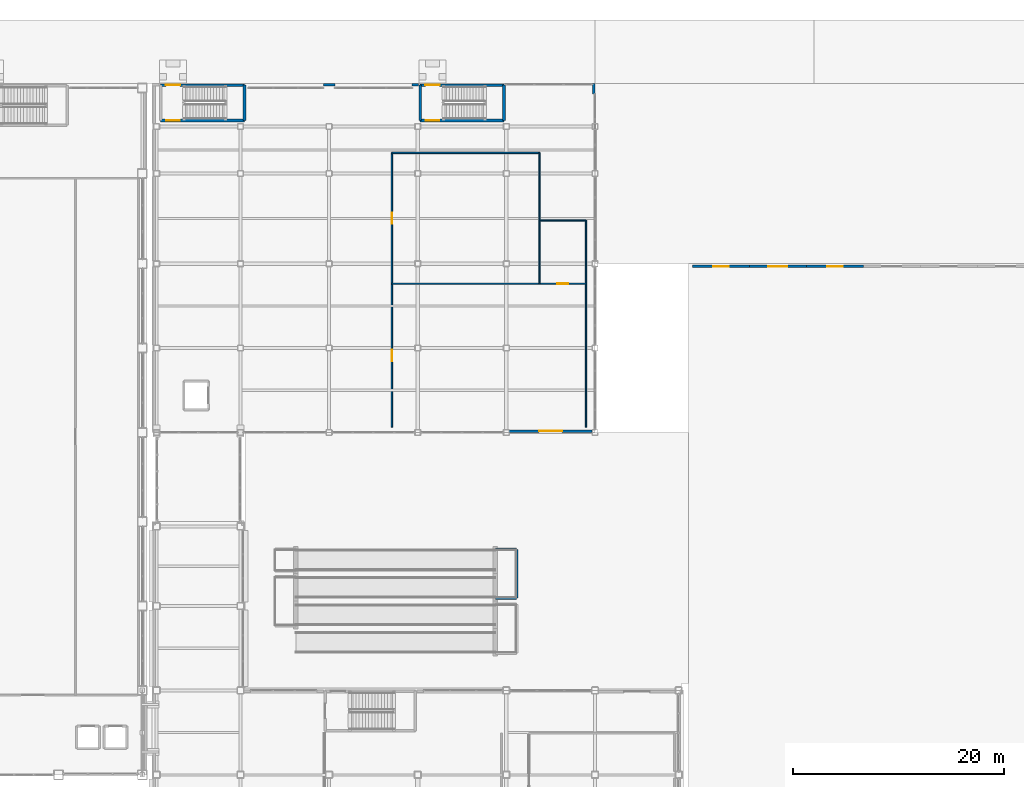
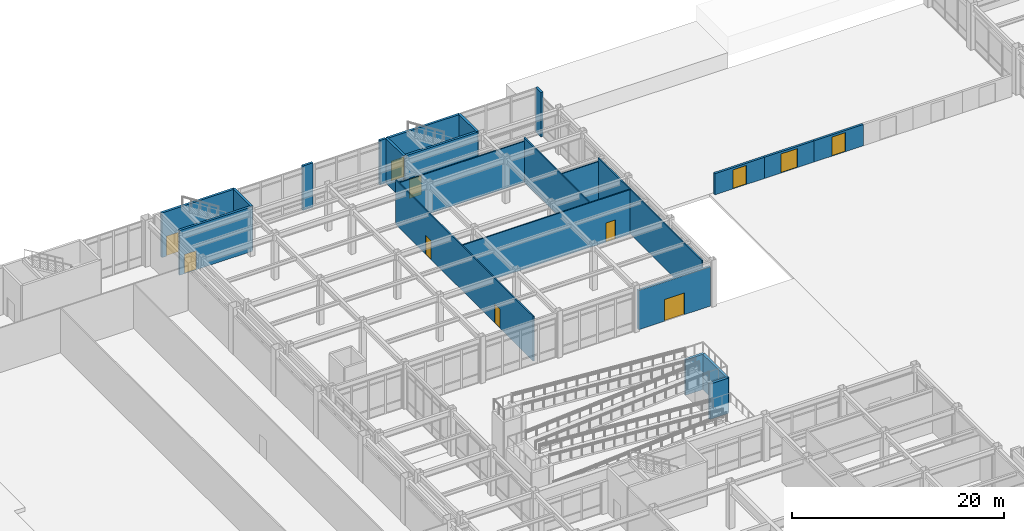
# One storey, part 133 of 165: 23 walls, 11 doors, 11 openings.
"""IFC4 building model written with IfcOpenShell, lengths in metres."""

from ifc_helpers import new_model, si_unit, direction, frame, frame_2d, origin, place, context, subcontext, project, spatial, rectangle, extrude, material, layer, layer_set, type_object, element, fill, save


model = new_model("IFC4")

# Units and contexts
model_context = context("Model", 3, precision=1e-05, world=origin(), true_north=direction((0.0, 1.0)))
body_context = subcontext(model_context, "Body", "Model", "MODEL_VIEW")
ifc_project = project(units=[si_unit("LENGTHUNIT", "METRE"), si_unit("AREAUNIT", "SQUARE_METRE"), si_unit("VOLUMEUNIT", "CUBIC_METRE"), si_unit("PLANEANGLEUNIT", "RADIAN"), si_unit("MASSUNIT", "GRAM", prefix="KILO")], contexts=[model_context])

# Site, building, storey
site_placement = place(None, origin())
site = spatial("IfcSite", under=ifc_project, at=site_placement, CompositionType="ELEMENT")
building_placement = place(site_placement, origin())
building = spatial("IfcBuilding", under=site, at=building_placement, Name="Kazehara Bluff Congress Hotel", CompositionType="ELEMENT")
storey_placement = place(building_placement, origin())
storey = spatial("IfcBuildingStorey", under=building, at=storey_placement, Name="L00", CompositionType="ELEMENT", Elevation=0.0)

# Wall
ifc_material_1 = material(Name="Concrete C40/50", Category="concrete")
ifc_layer_1 = layer(ifc_material_1, 0.25)
ifc_layer_set_1 = layer_set([ifc_layer_1], Name="Concrete C40/50")
wall_type_1 = type_object("IfcWallType", Name="TP-CW-RC", PredefinedType="SHEAR", material=ifc_layer_set_1)
wall_1_placement = place(storey_placement, frame((68.02490234375, 113.824951171875, 0.0), z_axis=(0.0, 0.0, 1.0), x_axis=(0.0, -1.0, 0.0)))
element("IfcWall", 1, at=wall_1_placement, inside=storey, type_object=wall_type_1, Name="L00 ST-06 core wall far", PredefinedType="SHEAR", context=body_context, shape_type="SweptSolid", body=[
    extrude(rectangle(XDim=3.349853515625, YDim=0.25, at=frame_2d((1.6748046875, 0.0))), origin(), (0.0, 0.0, 1.0), 5.14990234375),
])

# Wall, opening, door
wall_2_placement = place(storey_placement, frame((68.02490234375, 110.47509765625, 0.0), z_axis=(0.0, 0.0, 1.0), x_axis=(-1.0, 0.0, 0.0)))
wall_2 = element("IfcWall", 2, at=wall_2_placement, inside=storey, type_object=wall_type_1, Name="L00 ST-06 core wall left", PredefinedType="SHEAR", context=body_context, shape_type="SweptSolid", body=[
    extrude(rectangle(XDim=7.949951171875, YDim=0.25, at=frame_2d((3.97509765625, 0.0))), origin(), (0.0, 0.0, 1.0), 5.14990234375),
])
opening_1_placement = place(wall_2_placement, frame((6.125, 0.0, 0.0)))
opening_1 = element("IfcOpeningElement", 3, at=opening_1_placement, cuts=wall_2, Name="Opening FD-01", PredefinedType="OPENING", context=body_context, shape_type="SweptSolid", body=[
    extrude(rectangle(XDim=1.300048828125, YDim=2.199951171875, at=frame_2d((0.64990234375, 1.10009765625))), frame((0.0, 0.135009765625, 0.0), z_axis=(0.0, -1.0, 0.0), x_axis=(1.0, 0.0, 0.0)), (0.0, 0.0, 1.0), 0.27001953125),
])
ifc_material_2 = material(Name="Fire-rated painted steel leaf", Category="steel")
door_type_1 = type_object("IfcDoorType", Name="TP-FD-01", OperationType="NOTDEFINED", PredefinedType="DOOR", material=ifc_material_2)
door_1_placement = place(opening_1_placement, origin())
door_1 = element("IfcDoor", 4, at=door_1_placement, inside=storey, type_object=door_type_1, Name="L00 ST-06 fire stair door", OperationType="SINGLE_SWING_RIGHT", OverallHeight=2.199951171875, OverallWidth=1.300048828125, PredefinedType="DOOR", context=body_context, shape_type="SweptSolid", body=[
    extrude(rectangle(XDim=1.300048828125, YDim=2.199951171875, at=frame_2d((0.64990234375, 1.10009765625))), frame((0.0, 0.02490234375, 0.0), z_axis=(0.0, -1.0, 0.0), x_axis=(1.0, 0.0, 0.0)), (0.0, 0.0, 1.0), 0.050048828125),
])
fill(opening_1, door_1)

wall_3_placement = place(storey_placement, frame((60.074951171875, 113.824951171875, 0.0), z_axis=(0.0, 0.0, 1.0), x_axis=(1.0, 0.0, 0.0)))
wall_3 = element("IfcWall", 5, at=wall_3_placement, inside=storey, type_object=wall_type_1, Name="L00 ST-06 core wall right", PredefinedType="SHEAR", context=body_context, shape_type="SweptSolid", body=[
    extrude(rectangle(XDim=7.949951171875, YDim=0.25, at=frame_2d((3.97509765625, 0.0))), origin(), (0.0, 0.0, 1.0), 5.14990234375),
])
opening_2_placement = place(wall_3_placement, frame((0.5, 0.0, 0.0)))
opening_2 = element("IfcOpeningElement", 6, at=opening_2_placement, cuts=wall_3, Name="Opening ED-09", PredefinedType="OPENING", context=body_context, shape_type="SweptSolid", body=[
    extrude(rectangle(XDim=1.35009765625, YDim=2.300048828125, at=frame_2d((0.675048828125, 1.14990234375))), frame((0.0, 0.135009765625, 0.0), z_axis=(0.0, -1.0, 0.0), x_axis=(1.0, 0.0, 0.0)), (0.0, 0.0, 1.0), 0.27001953125),
])
ifc_material_3 = material(Name="Anodised aluminium", Category="aluminium")
door_type_2 = type_object("IfcDoorType", Name="TP-ED-09", OperationType="NOTDEFINED", PredefinedType="DOOR", material=ifc_material_3)
door_2_placement = place(opening_2_placement, origin())
door_2 = element("IfcDoor", 7, at=door_2_placement, inside=storey, type_object=door_type_2, Name="Escape Stair ST-06 final exit discharge door", OperationType="SINGLE_SWING_RIGHT", OverallHeight=2.300048828125, OverallWidth=1.35009765625, PredefinedType="DOOR", context=body_context, shape_type="SweptSolid", body=[
    extrude(rectangle(XDim=1.35009765625, YDim=2.300048828125, at=frame_2d((0.675048828125, 1.14990234375))), frame((0.0, 0.02490234375, 0.0), z_axis=(0.0, -1.0, 0.0), x_axis=(1.0, 0.0, 0.0)), (0.0, 0.0, 1.0), 0.050048828125),
])
fill(opening_2, door_2)

# Walls
for number, where, z_axis, x_axis, name in (
    (8, (84.675048828125, 110.47509765625, 0.0), (0.0, 0.0, 1.0), (0.0, 1.0, 0.0), "L00 ST-07 core wall near"),
    (9, (92.625, 113.824951171875, 0.0), (0.0, 0.0, 1.0), (0.0, -1.0, 0.0), "L00 ST-07 core wall far"),
):
    element("IfcWall", number, at=place(storey_placement, frame(where, z_axis=z_axis, x_axis=x_axis)), inside=storey, type_object=wall_type_1, Name=name, PredefinedType="SHEAR", context=body_context, shape_type="SweptSolid", body=[
        extrude(rectangle(XDim=3.349853515625, YDim=0.25, at=frame_2d((1.6748046875, 0.0))), origin(), (0.0, 0.0, 1.0), 5.14990234375),
    ])

# Wall, opening, door
wall_4_placement = place(storey_placement, frame((92.625, 110.47509765625, 0.0), z_axis=(0.0, 0.0, 1.0), x_axis=(-1.0, 0.0, 0.0)))
wall_4 = element("IfcWall", 10, at=wall_4_placement, inside=storey, type_object=wall_type_1, Name="L00 ST-07 core wall left", PredefinedType="SHEAR", context=body_context, shape_type="SweptSolid", body=[
    extrude(rectangle(XDim=7.949951171875, YDim=0.25, at=frame_2d((3.97509765625, 0.0))), origin(), (0.0, 0.0, 1.0), 5.14990234375),
])
opening_3_placement = place(wall_4_placement, frame((6.125, 0.0, 0.0)))
opening_3 = element("IfcOpeningElement", 11, at=opening_3_placement, cuts=wall_4, Name="Opening FD-01", PredefinedType="OPENING", context=body_context, shape_type="SweptSolid", body=[
    extrude(rectangle(XDim=1.300048828125, YDim=2.199951171875, at=frame_2d((0.64990234375, 1.10009765625))), frame((0.0, 0.135009765625, 0.0), z_axis=(0.0, -1.0, 0.0), x_axis=(1.0, 0.0, 0.0)), (0.0, 0.0, 1.0), 0.27001953125),
])
door_3_placement = place(opening_3_placement, origin())
door_3 = element("IfcDoor", 12, at=door_3_placement, inside=storey, type_object=door_type_1, Name="L00 ST-07 fire stair door", OperationType="SINGLE_SWING_RIGHT", OverallHeight=2.199951171875, OverallWidth=1.300048828125, PredefinedType="DOOR", context=body_context, shape_type="SweptSolid", body=[
    extrude(rectangle(XDim=1.300048828125, YDim=2.199951171875, at=frame_2d((0.64990234375, 1.10009765625))), frame((0.0, 0.02490234375, 0.0), z_axis=(0.0, -1.0, 0.0), x_axis=(1.0, 0.0, 0.0)), (0.0, 0.0, 1.0), 0.050048828125),
])
fill(opening_3, door_3)

wall_5_placement = place(storey_placement, frame((84.675048828125, 113.824951171875, 0.0), z_axis=(0.0, 0.0, 1.0), x_axis=(1.0, 0.0, 0.0)))
wall_5 = element("IfcWall", 13, at=wall_5_placement, inside=storey, type_object=wall_type_1, Name="L00 ST-07 core wall right", PredefinedType="SHEAR", context=body_context, shape_type="SweptSolid", body=[
    extrude(rectangle(XDim=7.949951171875, YDim=0.25, at=frame_2d((3.97509765625, 0.0))), origin(), (0.0, 0.0, 1.0), 5.14990234375),
])
opening_4_placement = place(wall_5_placement, frame((0.5, 0.0, 0.0)))
opening_4 = element("IfcOpeningElement", 14, at=opening_4_placement, cuts=wall_5, Name="Opening ED-09", PredefinedType="OPENING", context=body_context, shape_type="SweptSolid", body=[
    extrude(rectangle(XDim=1.35009765625, YDim=2.300048828125, at=frame_2d((0.675048828125, 1.14990234375))), frame((0.0, 0.135009765625, 0.0), z_axis=(0.0, -1.0, 0.0), x_axis=(1.0, 0.0, 0.0)), (0.0, 0.0, 1.0), 0.27001953125),
])
door_4_placement = place(opening_4_placement, origin())
door_4 = element("IfcDoor", 15, at=door_4_placement, inside=storey, type_object=door_type_2, Name="Escape Stair ST-07 final exit discharge door", OperationType="SINGLE_SWING_RIGHT", OverallHeight=2.300048828125, OverallWidth=1.35009765625, PredefinedType="DOOR", context=body_context, shape_type="SweptSolid", body=[
    extrude(rectangle(XDim=1.35009765625, YDim=2.300048828125, at=frame_2d((0.675048828125, 1.14990234375))), frame((0.0, 0.02490234375, 0.0), z_axis=(0.0, -1.0, 0.0), x_axis=(1.0, 0.0, 0.0)), (0.0, 0.0, 1.0), 0.050048828125),
])
fill(opening_4, door_4)

ifc_material_4 = material(Name="Precast concrete C40/50", Category="concrete")
ifc_layer_2 = layer(ifc_material_4, 0.239990234375)
ifc_layer_set_2 = layer_set([ifc_layer_2], Name="Precast concrete C40/50")
wall_type_2 = type_object("IfcWallType", Name="TP-EW-240", PredefinedType="SOLIDWALL", material=ifc_layer_set_2)
wall_6_placement = place(storey_placement, frame((110.5, 96.64990234375, 0.0), z_axis=(0.0, 0.0, 1.0), x_axis=(1.0, 0.0, 0.0)))
wall_6 = element("IfcWall", 16, at=wall_6_placement, inside=storey, type_object=wall_type_2, Name="Courtyard garden screen wall GT1", PredefinedType="SOLIDWALL", context=body_context, shape_type="SweptSolid", body=[
    extrude(rectangle(XDim=5.39990234375, YDim=0.239990234375, at=frame_2d((2.699951171875, 0.0))), origin(), (0.0, 0.0, 1.0), 2.449951171875),
])
opening_5_placement = place(wall_6_placement, frame((1.949951171875, 0.0, 0.0)))
opening_5 = element("IfcOpeningElement", 17, at=opening_5_placement, cuts=wall_6, Name="Opening GT-01", PredefinedType="OPENING", context=body_context, shape_type="SweptSolid", body=[
    extrude(rectangle(XDim=1.5, YDim=2.199951171875, at=frame_2d((0.75, 1.10009765625))), frame((0.0, 0.1298828125, 0.0), z_axis=(0.0, -1.0, 0.0), x_axis=(1.0, 0.0, 0.0)), (0.0, 0.0, 1.0), 0.260009765625),
])
ifc_material_5 = material(Name="Painted galvanised steel", Category="steel")
door_type_3 = type_object("IfcDoorType", Name="TP-GT-01", OperationType="NOTDEFINED", PredefinedType="GATE", material=ifc_material_5)
door_5_placement = place(opening_5_placement, origin())
door_5 = element("IfcDoor", 18, at=door_5_placement, inside=storey, type_object=door_type_3, Name="Courtyard garden gate GT1", OperationType="SINGLE_SWING_LEFT", OverallHeight=2.199951171875, OverallWidth=1.5, PredefinedType="GATE", context=body_context, shape_type="SweptSolid", body=[
    extrude(rectangle(XDim=1.5, YDim=2.199951171875, at=frame_2d((0.75, 1.10009765625))), frame((0.0, 0.02490234375, 0.0), z_axis=(0.0, -1.0, 0.0), x_axis=(1.0, 0.0, 0.0)), (0.0, 0.0, 1.0), 0.050048828125),
])
fill(opening_5, door_5)

wall_7_placement = place(storey_placement, frame((115.89990234375, 96.64990234375, 0.0), z_axis=(0.0, 0.0, 1.0), x_axis=(1.0, 0.0, 0.0)))
wall_7 = element("IfcWall", 19, at=wall_7_placement, inside=storey, type_object=wall_type_2, Name="Courtyard garden screen wall GT2", PredefinedType="SOLIDWALL", context=body_context, shape_type="SweptSolid", body=[
    extrude(rectangle(XDim=5.400146484375, YDim=0.239990234375, at=frame_2d((2.7001953125, 0.0))), origin(), (0.0, 0.0, 1.0), 2.449951171875),
])
opening_6_placement = place(wall_7_placement, frame((1.800048828125, 0.0, 0.0)))
opening_6 = element("IfcOpeningElement", 20, at=opening_6_placement, cuts=wall_7, Name="Opening GT-02", PredefinedType="OPENING", context=body_context, shape_type="SweptSolid", body=[
    extrude(rectangle(XDim=1.800048828125, YDim=2.199951171875, at=frame_2d((0.89990234375, 1.10009765625))), frame((0.0, 0.1298828125, 0.0), z_axis=(0.0, -1.0, 0.0), x_axis=(1.0, 0.0, 0.0)), (0.0, 0.0, 1.0), 0.260009765625),
])
ifc_material_6 = material(Name="Painted galvanised steel", Category="steel")
door_type_4 = type_object("IfcDoorType", Name="TP-GT-02", OperationType="NOTDEFINED", PredefinedType="GATE", material=ifc_material_6)
door_6_placement = place(opening_6_placement, origin())
door_6 = element("IfcDoor", 21, at=door_6_placement, inside=storey, type_object=door_type_4, Name="Courtyard garden gate GT2", OperationType="SINGLE_SWING_RIGHT", OverallHeight=2.199951171875, OverallWidth=1.800048828125, PredefinedType="GATE", context=body_context, shape_type="SweptSolid", body=[
    extrude(rectangle(XDim=1.800048828125, YDim=2.199951171875, at=frame_2d((0.89990234375, 1.10009765625))), frame((0.0, 0.02490234375, 0.0), z_axis=(0.0, -1.0, 0.0), x_axis=(1.0, 0.0, 0.0)), (0.0, 0.0, 1.0), 0.050048828125),
])
fill(opening_6, door_6)

wall_8_placement = place(storey_placement, frame((121.300048828125, 96.64990234375, 0.0), z_axis=(0.0, 0.0, 1.0), x_axis=(1.0, 0.0, 0.0)))
wall_8 = element("IfcWall", 22, at=wall_8_placement, inside=storey, type_object=wall_type_2, Name="Courtyard garden screen wall GT3", PredefinedType="SOLIDWALL", context=body_context, shape_type="SweptSolid", body=[
    extrude(rectangle(XDim=5.39990234375, YDim=0.239990234375, at=frame_2d((2.699951171875, 0.0))), origin(), (0.0, 0.0, 1.0), 2.449951171875),
])
opening_7_placement = place(wall_8_placement, frame((1.949951171875, 0.0, 0.0)))
opening_7 = element("IfcOpeningElement", 23, at=opening_7_placement, cuts=wall_8, Name="Opening GT-01", PredefinedType="OPENING", context=body_context, shape_type="SweptSolid", body=[
    extrude(rectangle(XDim=1.5, YDim=2.199951171875, at=frame_2d((0.75, 1.10009765625))), frame((0.0, 0.1298828125, 0.0), z_axis=(0.0, -1.0, 0.0), x_axis=(1.0, 0.0, 0.0)), (0.0, 0.0, 1.0), 0.260009765625),
])
door_7_placement = place(opening_7_placement, origin())
door_7 = element("IfcDoor", 24, at=door_7_placement, inside=storey, type_object=door_type_3, Name="Courtyard garden gate GT3", OperationType="SINGLE_SWING_LEFT", OverallHeight=2.199951171875, OverallWidth=1.5, PredefinedType="GATE", context=body_context, shape_type="SweptSolid", body=[
    extrude(rectangle(XDim=1.5, YDim=2.199951171875, at=frame_2d((0.75, 1.10009765625))), frame((0.0, 0.02490234375, 0.0), z_axis=(0.0, -1.0, 0.0), x_axis=(1.0, 0.0, 0.0)), (0.0, 0.0, 1.0), 0.050048828125),
])
fill(opening_7, door_7)

# Walls
wall_9_placement = place(storey_placement, frame((101.14990234375, 114.0, 0.0), z_axis=(0.0, 0.0, 1.0), x_axis=(0.0, -1.0, 0.0)))
element("IfcWall", 25, at=wall_9_placement, inside=storey, type_object=wall_type_2, Name="L00 V3 perimeter spandrel pier 516", PredefinedType="SOLIDWALL", context=body_context, shape_type="SweptSolid", body=[
    extrude(rectangle(XDim=1.0, YDim=0.239990234375, at=frame_2d((0.5, 0.0))), origin(), (0.0, 0.0, 1.0), 5.135009765625),
])
wall_10_placement = place(storey_placement, frame((75.5, 113.8798828125, 0.0), z_axis=(0.0, 0.0, 1.0), x_axis=(1.0, 0.0, 0.0)))
element("IfcWall", 26, at=wall_10_placement, inside=storey, type_object=wall_type_2, Name="L00 V3 perimeter spandrel pier 518", PredefinedType="SOLIDWALL", context=body_context, shape_type="SweptSolid", body=[
    extrude(rectangle(XDim=1.10009765625, YDim=0.239990234375, at=frame_2d((0.550048828125, 0.0))), origin(), (0.0, 0.0, 1.0), 5.135009765625),
])
wall_11_placement = place(storey_placement, frame((83.89990234375, 113.8798828125, 0.0), z_axis=(0.0, 0.0, 1.0), x_axis=(1.0, 0.0, 0.0)))
element("IfcWall", 27, at=wall_11_placement, inside=storey, type_object=wall_type_2, Name="L00 V3 perimeter spandrel pier 519", PredefinedType="SOLIDWALL", context=body_context, shape_type="SweptSolid", body=[
    extrude(rectangle(XDim=0.64013671875, YDim=0.239990234375, at=frame_2d((0.320068359375, 0.0))), origin(), (0.0, 0.0, 1.0), 5.135009765625),
])

# Wall, opening, door
ifc_material_7 = material(Name="Precast concrete C40/50", Category="concrete")
ifc_layer_3 = layer(ifc_material_7, 0.260009765625)
ifc_layer_set_3 = layer_set([ifc_layer_3], Name="Precast concrete C40/50")
wall_type_3 = type_object("IfcWallType", Name="TP-EW-260", PredefinedType="SOLIDWALL", material=ifc_layer_set_3)
wall_12_placement = place(storey_placement, frame((100.97509765625, 81.02001953125, 0.0), z_axis=(0.0, 0.0, 1.0), x_axis=(-1.0, 0.0, 0.0)))
wall_12 = element("IfcWall", 28, at=wall_12_placement, inside=storey, type_object=wall_type_3, Name="L00 exit host wall EX-V3S", PredefinedType="SOLIDWALL", context=body_context, shape_type="SweptSolid", body=[
    extrude(rectangle(XDim=7.85009765625, YDim=0.260009765625, at=frame_2d((3.925048828125, 0.0))), origin(), (0.0, 0.0, 1.0), 4.52490234375),
])
opening_8_placement = place(wall_12_placement, frame((2.824951171875, 0.0, 0.0)))
opening_8 = element("IfcOpeningElement", 29, at=opening_8_placement, cuts=wall_12, Name="Opening ED-03", PredefinedType="OPENING", context=body_context, shape_type="SweptSolid", body=[
    extrude(rectangle(XDim=2.199951171875, YDim=2.5, at=frame_2d((1.10009765625, 1.25))), frame((0.0, 0.139892578125, 0.0), z_axis=(0.0, -1.0, 0.0), x_axis=(1.0, 0.0, 0.0)), (0.0, 0.0, 1.0), 0.280029296875),
])
ifc_material_8 = material(Name="Anodised aluminium", Category="aluminium")
door_type_5 = type_object("IfcDoorType", Name="TP-ED-03", OperationType="DOUBLE_DOOR_SINGLE_SWING", PredefinedType="DOOR", material=ifc_material_8)
door_8_placement = place(opening_8_placement, origin())
door_8 = element("IfcDoor", 30, at=door_8_placement, inside=storey, type_object=door_type_5, Name="Thermal Spa courtyard entrance exit door", OperationType="DOUBLE_DOOR_SINGLE_SWING", OverallHeight=2.5, OverallWidth=2.199951171875, PredefinedType="DOOR", context=body_context, shape_type="SweptSolid", body=[
    extrude(rectangle(XDim=2.199951171875, YDim=2.5, at=frame_2d((1.10009765625, 1.25))), frame((0.0, 0.02490234375, 0.0), z_axis=(0.0, -1.0, 0.0), x_axis=(1.0, 0.0, 0.0)), (0.0, 0.0, 1.0), 0.050048828125),
])
fill(opening_8, door_8)

# Wall
ifc_material_9 = material(Name="Fire-rated gypsum board stud partition")
ifc_layer_4 = layer(ifc_material_9, 0.110107421875)
ifc_layer_set_4 = layer_set([ifc_layer_4], Name="Fire-rated gypsum board stud partition")
wall_type_4 = type_object("IfcWallType", Name="TP-PT-110", PredefinedType="PARTITIONING", material=ifc_layer_set_4)
wall_13_placement = place(storey_placement, frame((96.0, 101.0, 0.0), z_axis=(0.0, 0.0, 1.0), x_axis=(1.0, 0.0, 0.0)))
element("IfcWall", 31, at=wall_13_placement, inside=storey, type_object=wall_type_4, Name="L00 partition PT-110 89", PredefinedType="PARTITIONING", context=body_context, shape_type="SweptSolid", body=[
    extrude(rectangle(XDim=4.39990234375, YDim=0.110107421875, at=frame_2d((2.199951171875, 0.0))), origin(), (0.0, 0.0, 1.0), 4.72509765625),
])

# Wall, opening, door
ifc_material_10 = material(Name="Fire-rated gypsum board stud partition")
ifc_layer_5 = layer(ifc_material_10, 0.1298828125)
ifc_layer_set_5 = layer_set([ifc_layer_5], Name="Fire-rated gypsum board stud partition")
wall_type_5 = type_object("IfcWallType", Name="TP-PT-130", PredefinedType="PARTITIONING", material=ifc_layer_set_5)
wall_14_placement = place(storey_placement, frame((82.0, 95.0, 0.0), z_axis=(0.0, 0.0, 1.0), x_axis=(1.0, 0.0, 0.0)))
wall_14 = element("IfcWall", 32, at=wall_14_placement, inside=storey, type_object=wall_type_5, Name="L00 partition PT-130 88", PredefinedType="PARTITIONING", context=body_context, shape_type="SweptSolid", body=[
    extrude(rectangle(XDim=18.39990234375, YDim=0.1298828125, at=frame_2d((9.199951171875, 0.0))), origin(), (0.0, 0.0, 1.0), 5.135009765625),
])
opening_9_placement = place(wall_14_placement, frame((15.675048828125, 0.0, 0.0)))
opening_9 = element("IfcOpeningElement", 33, at=opening_9_placement, cuts=wall_14, Name="Opening ID-02", PredefinedType="OPENING", context=body_context, shape_type="SweptSolid", body=[
    extrude(rectangle(XDim=1.050048828125, YDim=2.199951171875, at=frame_2d((0.52490234375, 1.10009765625))), frame((0.0, 0.074951171875, 0.0), z_axis=(0.0, -1.0, 0.0), x_axis=(1.0, 0.0, 0.0)), (0.0, 0.0, 1.0), 0.14990234375),
])
ifc_material_11 = material(Name="Architectural oak veneer leaf")
door_type_6 = type_object("IfcDoorType", Name="TP-ID-02", OperationType="NOTDEFINED", PredefinedType="DOOR", material=ifc_material_11)
door_9_placement = place(opening_9_placement, origin())
door_9 = element("IfcDoor", 34, at=door_9_placement, inside=storey, type_object=door_type_6, Name="L00 Spa Ground Accessible WC door", OperationType="SINGLE_SWING_RIGHT", OverallHeight=2.199951171875, OverallWidth=1.050048828125, PredefinedType="DOOR", context=body_context, shape_type="SweptSolid", body=[
    extrude(rectangle(XDim=1.050048828125, YDim=2.199951171875, at=frame_2d((0.52490234375, 1.10009765625))), frame((0.0, 0.02490234375, 0.0), z_axis=(0.0, -1.0, 0.0), x_axis=(1.0, 0.0, 0.0)), (0.0, 0.0, 1.0), 0.050048828125),
])
fill(opening_9, door_9)

# Wall
wall_15_placement = place(storey_placement, frame((82.0, 107.39990234375, 0.0), z_axis=(0.0, 0.0, 1.0), x_axis=(1.0, 0.0, 0.0)))
element("IfcWall", 35, at=wall_15_placement, inside=storey, type_object=wall_type_5, Name="L00 partition PT-130 91", PredefinedType="PARTITIONING", context=body_context, shape_type="SweptSolid", body=[
    extrude(rectangle(XDim=14.0, YDim=0.1298828125, at=frame_2d((7.0, 0.0))), origin(), (0.0, 0.0, 1.0), 4.72509765625),
])

# Wall, openings, doors
wall_16_placement = place(storey_placement, frame((82.0, 81.39990234375, 0.0), z_axis=(0.0, 0.0, 1.0), x_axis=(0.0, 1.0, 0.0)))
wall_16 = element("IfcWall", 36, at=wall_16_placement, inside=storey, type_object=wall_type_5, Name="L00 partition PT-130 115", PredefinedType="PARTITIONING", context=body_context, shape_type="SweptSolid", body=[
    extrude(rectangle(XDim=26.0, YDim=0.1298828125, at=frame_2d((13.0, 0.0))), origin(), (0.0, 0.0, 1.0), 5.135009765625),
])
opening_10_placement = place(wall_16_placement, frame((6.27490234375, 0.0, 0.0)))
opening_10 = element("IfcOpeningElement", 37, at=opening_10_placement, cuts=wall_16, Name="Opening ID-02", PredefinedType="OPENING", context=body_context, shape_type="SweptSolid", body=[
    extrude(rectangle(XDim=1.050048828125, YDim=2.199951171875, at=frame_2d((0.52490234375, 1.10009765625))), frame((0.0, 0.074951171875, 0.0), z_axis=(0.0, -1.0, 0.0), x_axis=(1.0, 0.0, 0.0)), (0.0, 0.0, 1.0), 0.14990234375),
])
opening_11_placement = place(wall_16_placement, frame((19.27490234375, 0.0, 0.0)))
opening_11 = element("IfcOpeningElement", 38, at=opening_11_placement, cuts=wall_16, Name="Opening ID-02", PredefinedType="OPENING", context=body_context, shape_type="SweptSolid", body=[
    extrude(rectangle(XDim=1.050048828125, YDim=2.199951171875, at=frame_2d((0.52490234375, 1.10009765625))), frame((0.0, 0.074951171875, 0.0), z_axis=(0.0, -1.0, 0.0), x_axis=(1.0, 0.0, 0.0)), (0.0, 0.0, 1.0), 0.14990234375),
])
door_10_placement = place(opening_10_placement, origin())
door_10 = element("IfcDoor", 39, at=door_10_placement, inside=storey, type_object=door_type_6, Name="L00 Male Changing and Hinoki Sauna Suite door", OperationType="SINGLE_SWING_RIGHT", OverallHeight=2.199951171875, OverallWidth=1.050048828125, PredefinedType="DOOR", context=body_context, shape_type="SweptSolid", body=[
    extrude(rectangle(XDim=1.050048828125, YDim=2.199951171875, at=frame_2d((0.52490234375, 1.10009765625))), frame((0.0, 0.02490234375, 0.0), z_axis=(0.0, -1.0, 0.0), x_axis=(1.0, 0.0, 0.0)), (0.0, 0.0, 1.0), 0.050048828125),
])
fill(opening_10, door_10)
door_11_placement = place(opening_11_placement, origin())
door_11 = element("IfcDoor", 40, at=door_11_placement, inside=storey, type_object=door_type_6, Name="L00 Female Changing and Steam Bath Suite door", OperationType="SINGLE_SWING_LEFT", OverallHeight=2.199951171875, OverallWidth=1.050048828125, PredefinedType="DOOR", context=body_context, shape_type="SweptSolid", body=[
    extrude(rectangle(XDim=1.050048828125, YDim=2.199951171875, at=frame_2d((0.52490234375, 1.10009765625))), frame((0.0, 0.02490234375, 0.0), z_axis=(0.0, -1.0, 0.0), x_axis=(1.0, 0.0, 0.0)), (0.0, 0.0, 1.0), 0.050048828125),
])
fill(opening_11, door_11)

# Walls
wall_17_placement = place(storey_placement, frame((96.0, 95.0, 0.0), z_axis=(0.0, 0.0, 1.0), x_axis=(0.0, 1.0, 0.0)))
element("IfcWall", 41, at=wall_17_placement, inside=storey, type_object=wall_type_5, Name="L00 partition PT-130 118", PredefinedType="PARTITIONING", context=body_context, shape_type="SweptSolid", body=[
    extrude(rectangle(XDim=12.39990234375, YDim=0.1298828125, at=frame_2d((6.199951171875, 0.0))), origin(), (0.0, 0.0, 1.0), 5.135009765625),
])
wall_18_placement = place(storey_placement, frame((100.39990234375, 81.39990234375, 0.0), z_axis=(0.0, 0.0, 1.0), x_axis=(0.0, 1.0, 0.0)))
element("IfcWall", 42, at=wall_18_placement, inside=storey, type_object=wall_type_5, Name="L00 partition PT-130 119", PredefinedType="PARTITIONING", context=body_context, shape_type="SweptSolid", body=[
    extrude(rectangle(XDim=19.60009765625, YDim=0.1298828125, at=frame_2d((9.800048828125, 0.0))), origin(), (0.0, 0.0, 1.0), 5.135009765625),
])
ifc_material_12 = material(Name="Concrete C40/50", Category="concrete")
ifc_layer_6 = layer(ifc_material_12, 0.27001953125)
ifc_layer_set_6 = layer_set([ifc_layer_6], Name="Concrete C40/50")
wall_type_6 = type_object("IfcWallType", Name="TP-RW-RML", PredefinedType="SHEAR", material=ifc_layer_set_6)
wall_19_placement = place(storey_placement, frame((91.800048828125, 65.199951171875, -0.280029296875), z_axis=(0.0, 0.0, 1.0), x_axis=(1.0, 0.0, 0.0)))
element("IfcWall", 43, at=wall_19_placement, inside=storey, type_object=wall_type_6, Name="Accessible bluff garden ramp R2 landing wall 17", PredefinedType="SHEAR", context=body_context, shape_type="SweptSolid", body=[
    extrude(rectangle(XDim=2.0, YDim=0.27001953125, at=frame_2d((1.0, 0.0))), origin(), (0.0, 0.0, 1.0), 4.080078125),
])
wall_20_placement = place(storey_placement, frame((93.800048828125, 65.199951171875, -0.280029296875), z_axis=(0.0, 0.0, 1.0), x_axis=(0.0, 1.0, 0.0)))
element("IfcWall", 44, at=wall_20_placement, inside=storey, type_object=wall_type_6, Name="Accessible bluff garden ramp R2 landing wall 18", PredefinedType="SHEAR", context=body_context, shape_type="SweptSolid", body=[
    extrude(rectangle(XDim=4.60009765625, YDim=0.27001953125, at=frame_2d((2.300048828125, 0.0))), origin(), (0.0, 0.0, 1.0), 4.080078125),
])
wall_21_placement = place(storey_placement, frame((91.800048828125, 69.800048828125, -0.280029296875), z_axis=(0.0, 0.0, 1.0), x_axis=(1.0, 0.0, 0.0)))
element("IfcWall", 45, at=wall_21_placement, inside=storey, type_object=wall_type_6, Name="Accessible bluff garden ramp R2 landing wall 19", PredefinedType="SHEAR", context=body_context, shape_type="SweptSolid", body=[
    extrude(rectangle(XDim=2.0, YDim=0.27001953125, at=frame_2d((1.0, 0.0))), origin(), (0.0, 0.0, 1.0), 4.080078125),
])

save(model, "model.ifc")
